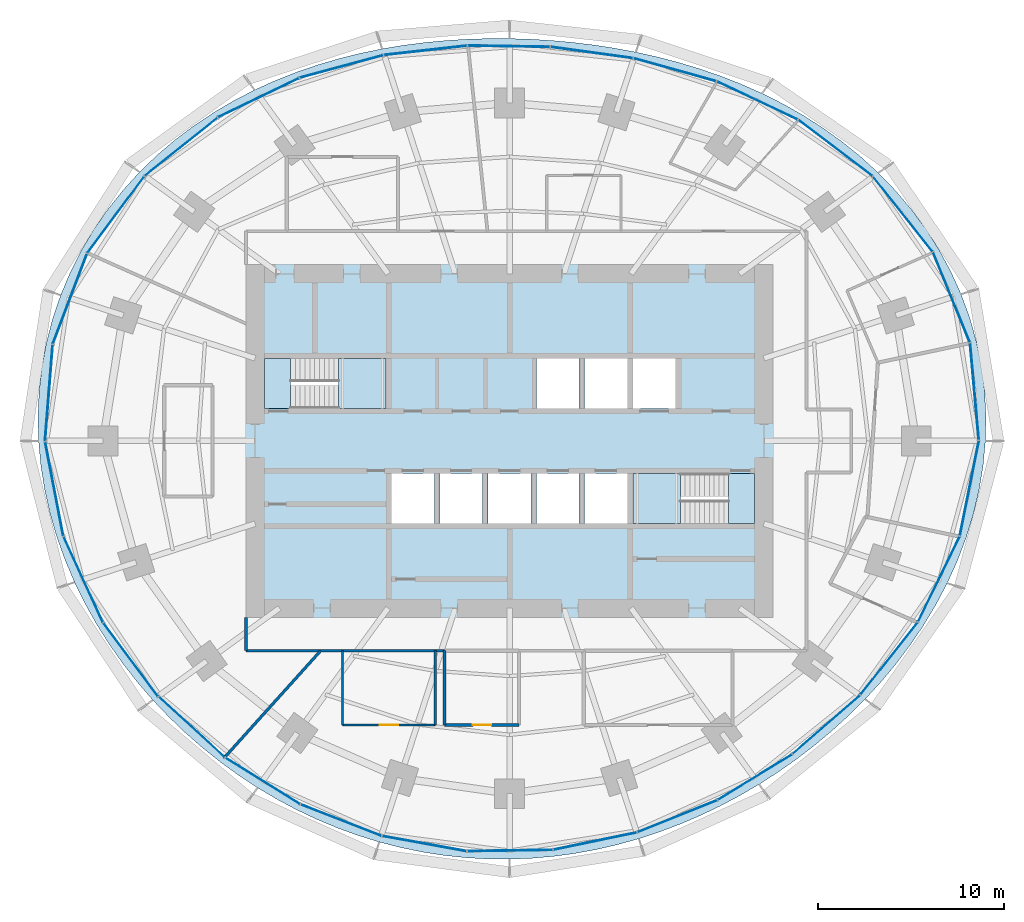
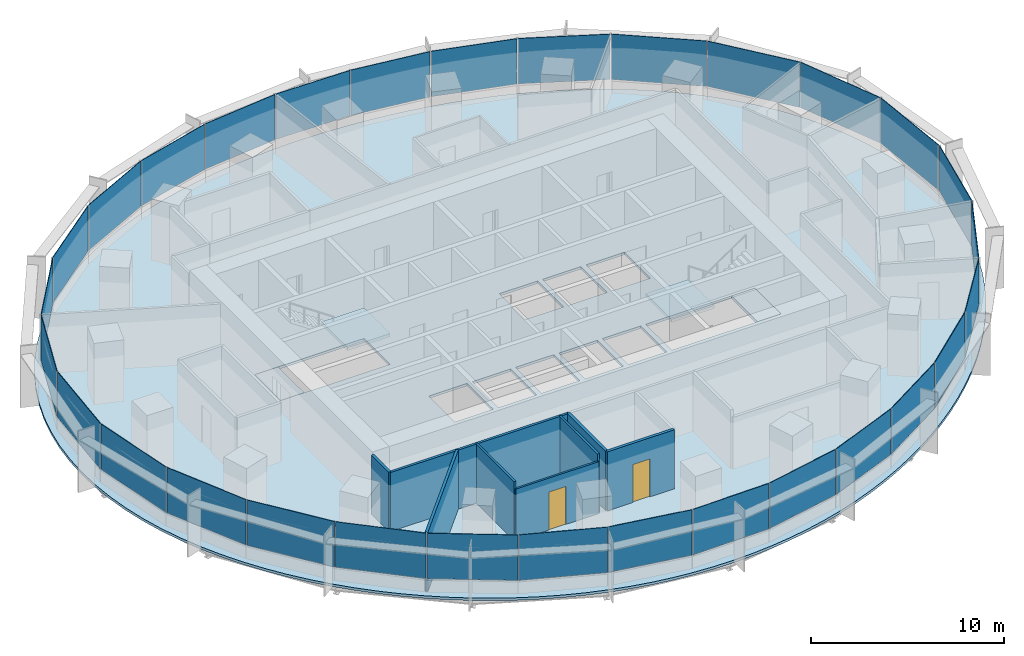
# One storey, part 9 of 14: 30 plates, 8 walls, 5 slabs, 2 doors, 2 openings, 8 elements without a shape of their own.
"""IFC4 building model written with IfcOpenShell, lengths in metres."""

from ifc_helpers import new_model, si_unit, direction, frame, frame_2d, origin, origin_2d, place, context, subcontext, project, spatial, polyline, rectangle, outline, extrude, material, layer, layer_set, type_object, element, fill, aggregate, save


model = new_model("IFC4")

# Units and contexts
model_context = context("Model", 3, precision=1e-05, world=origin(), true_north=direction((0.0, 1.0)))
body_context = subcontext(model_context, "Body", "Model", "MODEL_VIEW")
ifc_project = project(units=[si_unit("LENGTHUNIT", "METRE"), si_unit("AREAUNIT", "SQUARE_METRE"), si_unit("VOLUMEUNIT", "CUBIC_METRE"), si_unit("PLANEANGLEUNIT", "RADIAN"), si_unit("MASSUNIT", "GRAM", prefix="KILO")], contexts=[model_context])

# Site, building, storey
site_placement = place(None, origin())
site = spatial("IfcSite", under=ifc_project, at=site_placement, CompositionType="ELEMENT")
building_placement = place(site_placement, origin())
building = spatial("IfcBuilding", under=site, at=building_placement, Name="Marramba Exchange Tower", CompositionType="ELEMENT")
storey_placement = place(building_placement, frame((0.0, 0.0, 127.5)))
storey = spatial("IfcBuildingStorey", under=building, at=storey_placement, Name="L30", CompositionType="ELEMENT", Elevation=127.5)

# Slab
ifc_material_1 = material(Name="Concrete N40", Category="concrete")
ifc_layer_1 = layer(ifc_material_1, 0.159912109375)
ifc_layer_set_1 = layer_set([ifc_layer_1], Name="Composite floor slab 160")
slab_type_1 = type_object("IfcSlabType", Name="Composite floor slab 160", PredefinedType="FLOOR", material=ifc_layer_set_1)
slab_1_placement = place(storey_placement, frame((0.0, 0.0, -0.159912109375)))
element("IfcSlab", 1, at=slab_1_placement, inside=storey, type_object=slab_type_1, Name="Floor slab L30", PredefinedType="FLOOR", context=body_context, shape_type="SweptSolid", body=[
    extrude(outline(polyline([(25.632080078125, 0.0), (25.66064453125, 1.3447265625), (25.59033203125, 2.689697265625), (25.420166015625, 4.026123046875), (25.15087890625, 5.345947265625), (24.7841796875, 6.640869140625), (24.322998046875, 7.903076171875), (23.771484375, 9.125), (23.135009765625, 10.30029296875), (22.419677734375, 11.42333984375), (21.632080078125, 12.4892578125), (20.779541015625, 13.494384765625), (19.869384765625, 14.43603515625), (18.9091796875, 15.3125), (17.90625, 16.122802734375), (16.86767578125, 16.86767578125), (15.800048828125, 17.5478515625), (14.70947265625, 18.164794921875), (13.6015625, 18.720947265625), (12.48095703125, 19.218994140625), (11.3515625, 19.66162109375), (10.217041015625, 20.05224609375), (9.079833984375, 20.393798828125), (7.94189453125, 20.689453125), (6.804443359375, 20.942138671875), (5.668212890625, 21.154296875), (4.533447265625, 21.328369140625), (3.39990234375, 21.46630859375), (2.26708984375, 21.5693359375), (1.134033203125, 21.63818359375), (0.0, 21.673095703125), (-1.135986328125, 21.673828125), (-2.2744140625, 21.6396484375), (-3.416259765625, 21.5693359375), (-4.5615234375, 21.460693359375), (-5.71044921875, 21.31201171875), (-6.8623046875, 21.1201171875), (-8.01611328125, 20.8828125), (-9.170166015625, 20.5966796875), (-10.322509765625, 20.2587890625), (-11.4697265625, 19.8662109375), (-12.60888671875, 19.415771484375), (-13.7353515625, 18.905029296875), (-14.8447265625, 18.331787109375), (-15.931640625, 17.69384765625), (-16.989990234375, 16.989990234375), (-18.013916015625, 16.2197265625), (-18.996826171875, 15.38330078125), (-19.931884765625, 14.4814453125), (-20.8125, 13.515869140625), (-21.632080078125, 12.4892578125), (-22.384033203125, 11.4052734375), (-23.0625, 10.26806640625), (-23.661865234375, 9.0830078125), (-24.177734375, 7.855712890625), (-24.605712890625, 6.593017578125), (-24.943603515625, 5.302001953125), (-25.18896484375, 3.989501953125), (-25.341064453125, 2.663330078125), (-25.400390625, 1.3310546875), (-25.367919921875, 0.0), (-25.246337890625, -1.322998046875), (-25.038818359375, -2.631591796875), (-24.748779296875, -3.919921875), (-24.381103515625, -5.182373046875), (-23.940185546875, -6.414794921875), (-23.431396484375, -7.61328125), (-22.859130859375, -8.77490234375), (-22.22900390625, -9.89697265625), (-21.545166015625, -10.977783203125), (-20.81201171875, -12.015869140625), (-20.033935546875, -13.010009765625), (-19.2138671875, -13.959716796875), (-18.35546875, -14.86376953125), (-17.461181640625, -15.72216796875), (-16.53369140625, -16.53369140625), (-15.5751953125, -17.298095703125), (-14.587646484375, -18.014404296875), (-13.5732421875, -18.681884765625), (-12.533203125, -19.299560546875), (-11.4697265625, -19.8662109375), (-10.384765625, -20.381103515625), (-9.27978515625, -20.8427734375), (-8.157470703125, -21.250732421875), (-7.019287109375, -21.603271484375), (-5.8681640625, -21.900146484375), (-4.7060546875, -22.14013671875), (-3.53564453125, -22.322998046875), (-2.359375, -22.448486328125), (-1.179931640625, -22.516357421875), (0.0, -22.52685546875), (1.17822265625, -22.480712890625), (2.35205078125, -22.3779296875), (3.519287109375, -22.22021484375), (4.677978515625, -22.0078125), (5.825927734375, -21.742431640625), (6.96142578125, -21.425048828125), (8.0830078125, -21.05712890625), (9.189453125, -20.639892578125), (10.279296875, -20.17431640625), (11.3515625, -19.66162109375), (12.4052734375, -19.1025390625), (13.439453125, -18.497802734375), (14.45263671875, -17.847412109375), (15.44384765625, -17.152099609375), (16.411376953125, -16.411376953125), (17.353515625, -15.625244140625), (18.267822265625, -14.79296875), (19.1513671875, -13.914306640625), (20.000732421875, -12.98876953125), (20.81201171875, -12.015869140625), (21.580810546875, -10.995849609375), (22.301513671875, -9.92919921875), (22.96875, -8.81689453125), (23.57666015625, -7.660400390625), (24.11865234375, -6.462646484375), (24.588623046875, -5.2265625), (24.980224609375, -3.95654296875), (25.2880859375, -2.657958984375), (25.5068359375, -1.336669921875), (25.632080078125, 0.0)]), holes=[polyline([(1.449951171875, 1.75), (3.75, 1.75), (3.75, 4.449951171875), (1.449951171875, 4.449951171875), (1.449951171875, 1.75)]), polyline([(4.050048828125, 1.75), (6.35009765625, 1.75), (6.35009765625, 4.449951171875), (4.050048828125, 4.449951171875), (4.050048828125, 1.75)]), polyline([(-6.35009765625, -4.449951171875), (-4.050048828125, -4.449951171875), (-4.050048828125, -1.75), (-6.35009765625, -1.75), (-6.35009765625, -4.449951171875)]), polyline([(-3.75, -4.449951171875), (-1.449951171875, -4.449951171875), (-1.449951171875, -1.75), (-3.75, -1.75), (-3.75, -4.449951171875)]), polyline([(-1.14990234375, -4.449951171875), (1.14990234375, -4.449951171875), (1.14990234375, -1.75), (-1.14990234375, -1.75), (-1.14990234375, -4.449951171875)]), polyline([(1.449951171875, -4.449951171875), (3.75, -4.449951171875), (3.75, -1.75), (1.449951171875, -1.75), (1.449951171875, -4.449951171875)]), polyline([(4.050048828125, -4.449951171875), (6.35009765625, -4.449951171875), (6.35009765625, -1.75), (4.050048828125, -1.75), (4.050048828125, -4.449951171875)]), polyline([(6.64990234375, 1.75), (8.949951171875, 1.75), (8.949951171875, 4.449951171875), (6.64990234375, 4.449951171875), (6.64990234375, 1.75)]), polyline([(-13.199951171875, 1.75), (-6.64990234375, 1.75), (-6.64990234375, 4.449951171875), (-13.199951171875, 4.449951171875), (-13.199951171875, 1.75)]), polyline([(6.64990234375, -4.449951171875), (13.199951171875, -4.449951171875), (13.199951171875, -1.75), (6.64990234375, -1.75), (6.64990234375, -4.449951171875)])]), origin(), (0.0, 0.0, 1.0), 0.159912109375),
])

# Curtain wall, plates
ifc_material_2 = material(Name="Aluminium framing, bronze anodised", Category="aluminium")
curtain_wall_type = type_object("IfcCurtainWallType", Name="Office ribbon curtain wall", PredefinedType="USERDEFINED", material=ifc_material_2)
curtain_wall_1_placement = place(storey_placement, origin())
curtain_wall_1 = element("IfcCurtainWall", 2, at=curtain_wall_1_placement, inside=storey, type_object=curtain_wall_type, Name="Curtain wall CW4 L30 F01-F05", ObjectType="RIBBON CURTAIN WALL", PredefinedType="USERDEFINED")
ifc_material_3 = material(Name="Laminated double glazed unit 10.76 + 16 + 10.76, bronze tinted", Category="glass")
ifc_layer_2 = layer(ifc_material_3, 0.03759765625)
ifc_layer_set_2 = layer_set([ifc_layer_2], Name="Office ribbon curtain wall panel")
plate_type = type_object("IfcPlateType", Name="Office ribbon curtain wall panel", PredefinedType="CURTAIN_PANEL", material=ifc_layer_set_2)
plate_1_placement = place(storey_placement, frame((25.042724609375, 2.66650390625, 0.860107421875), z_axis=(0.0, 0.0, 1.0), x_axis=(-0.089412887889, 0.995994646311, 0.0)))
plate_1 = element("IfcPlate", 3, at=plate_1_placement, type_object=plate_type, Name="CW4 vision panel", PredefinedType="CURTAIN_PANEL", context=body_context, shape_type="SweptSolid", body=[
    extrude(rectangle(XDim=5.234375, YDim=0.03759765625, at=origin_2d()), origin(), (0.0, 0.0, 1.0), 2.8798828125),
])
plate_2_placement = place(storey_placement, frame((23.800537109375, 7.743408203125, 0.860107421875), z_axis=(0.0, 0.0, 1.0), x_axis=(-0.377821183171, 0.925878584668, 0.0)))
plate_2 = element("IfcPlate", 4, at=plate_2_placement, type_object=plate_type, Name="CW4 vision panel", PredefinedType="CURTAIN_PANEL", context=body_context, shape_type="SweptSolid", body=[
    extrude(rectangle(XDim=5.2158203125, YDim=0.03759765625, at=origin_2d()), origin(), (0.0, 0.0, 1.0), 2.8798828125),
])
plate_3_placement = place(storey_placement, frame((21.18212890625, 12.217529296875, 0.860107421875), z_axis=(0.0, 0.0, 1.0), x_axis=(-0.621312004611, 0.783563266703, 0.0)))
plate_3 = element("IfcPlate", 5, at=plate_3_placement, type_object=plate_type, Name="CW4 vision panel", PredefinedType="CURTAIN_PANEL", context=body_context, shape_type="SweptSolid", body=[
    extrude(rectangle(XDim=5.136962890625, YDim=0.03759765625, at=origin_2d()), origin(), (0.0, 0.0, 1.0), 2.8798828125),
])
plate_4_placement = place(storey_placement, frame((17.55224609375, 15.777099609375, 0.860107421875), z_axis=(0.0, 0.0, 1.0), x_axis=(-0.795971748366, 0.60533377223, 0.0)))
plate_4 = element("IfcPlate", 6, at=plate_4_placement, type_object=plate_type, Name="CW4 vision panel", PredefinedType="CURTAIN_PANEL", context=body_context, shape_type="SweptSolid", body=[
    extrude(rectangle(XDim=4.990966796875, YDim=0.03759765625, at=origin_2d()), origin(), (0.0, 0.0, 1.0), 2.8798828125),
])
plate_5_placement = place(storey_placement, frame((13.34423828125, 18.3359375, 0.860107421875), z_axis=(0.0, 0.0, 1.0), x_axis=(-0.904403137485, 0.426678995157, 0.0)))
plate_5 = element("IfcPlate", 7, at=plate_5_placement, type_object=plate_type, Name="CW4 vision panel", PredefinedType="CURTAIN_PANEL", context=body_context, shape_type="SweptSolid", body=[
    extrude(rectangle(XDim=4.793212890625, YDim=0.03759765625, at=origin_2d()), origin(), (0.0, 0.0, 1.0), 2.8798828125),
])
aggregate(curtain_wall_1, [plate_1, plate_2, plate_3, plate_4, plate_5])

curtain_wall_2_placement = place(storey_placement, origin())
curtain_wall_2 = element("IfcCurtainWall", 8, at=curtain_wall_2_placement, inside=storey, type_object=curtain_wall_type, Name="Curtain wall CW4 L30 F06-F10", ObjectType="RIBBON CURTAIN WALL", PredefinedType="USERDEFINED")
plate_6_placement = place(storey_placement, frame((8.907470703125, 19.991943359375, 0.860107421875), z_axis=(0.0, 0.0, 1.0), x_axis=(-0.963177845956, 0.268865090816, 0.0)))
plate_6 = element("IfcPlate", 9, at=plate_6_placement, type_object=plate_type, Name="CW4 vision panel", PredefinedType="CURTAIN_PANEL", context=body_context, shape_type="SweptSolid", body=[
    extrude(rectangle(XDim=4.591552734375, YDim=0.03759765625, at=origin_2d()), origin(), (0.0, 0.0, 1.0), 2.8798828125),
])
plate_7_placement = place(storey_placement, frame((4.43359375, 20.919189453125, 0.860107421875), z_axis=(0.0, 0.0, 1.0), x_axis=(-0.990738212841, 0.135785837319, 0.0)))
plate_7 = element("IfcPlate", 10, at=plate_7_placement, type_object=plate_type, Name="CW4 vision panel", PredefinedType="CURTAIN_PANEL", context=body_context, shape_type="SweptSolid", body=[
    extrude(rectangle(XDim=4.447509765625, YDim=0.03759765625, at=origin_2d()), origin(), (0.0, 0.0, 1.0), 2.8798828125),
])
plate_8_placement = place(storey_placement, frame((-0.03369140625, 21.2568359375, 0.860107421875), z_axis=(0.0, 0.0, 1.0), x_axis=(-0.999875869968, 0.01575578169, 0.0)))
plate_8 = element("IfcPlate", 11, at=plate_8_placement, type_object=plate_type, Name="CW4 vision panel", PredefinedType="CURTAIN_PANEL", context=body_context, shape_type="SweptSolid", body=[
    extrude(rectangle(XDim=4.408935546875, YDim=0.03759765625, at=origin_2d()), origin(), (0.0, 0.0, 1.0), 2.8798828125),
])
plate_9_placement = place(storey_placement, frame((-4.52587890625, 21.0361328125, 0.860107421875), z_axis=(0.0, 0.0, 1.0), x_axis=(-0.993823395532, -0.110973233233, 0.0)))
plate_9 = element("IfcPlate", 12, at=plate_9_placement, type_object=plate_type, Name="CW4 vision panel", PredefinedType="CURTAIN_PANEL", context=body_context, shape_type="SweptSolid", body=[
    extrude(rectangle(XDim=4.484375, YDim=0.03759765625, at=origin_2d()), origin(), (0.0, 0.0, 1.0), 2.8798828125),
])
plate_10_placement = place(storey_placement, frame((-9.053466796875, 20.16748046875, 0.860107421875), z_axis=(0.0, 0.0, 1.0), x_axis=(-0.965522047176, -0.260321294588, 0.0)))
plate_10 = element("IfcPlate", 13, at=plate_10_placement, type_object=plate_type, Name="CW4 vision panel", PredefinedType="CURTAIN_PANEL", context=body_context, shape_type="SweptSolid", body=[
    extrude(rectangle(XDim=4.642578125, YDim=0.03759765625, at=origin_2d()), origin(), (0.0, 0.0, 1.0), 2.8798828125),
])
aggregate(curtain_wall_2, [plate_6, plate_7, plate_8, plate_9, plate_10])

curtain_wall_3_placement = place(storey_placement, origin())
curtain_wall_3 = element("IfcCurtainWall", 14, at=curtain_wall_3_placement, inside=storey, type_object=curtain_wall_type, Name="Curtain wall CW4 L30 F11-F15", ObjectType="RIBBON CURTAIN WALL", PredefinedType="USERDEFINED")
plate_11_placement = place(storey_placement, frame((-13.52294921875, 18.4853515625, 0.860107421875), z_axis=(0.0, 0.0, 1.0), x_axis=(-0.900223739881, -0.435427626771, 0.0)))
plate_11 = element("IfcPlate", 15, at=plate_11_placement, type_object=plate_type, Name="CW4 vision panel", PredefinedType="CURTAIN_PANEL", context=body_context, shape_type="SweptSolid", body=[
    extrude(rectangle(XDim=4.83056640625, YDim=0.03759765625, at=origin_2d()), origin(), (0.0, 0.0, 1.0), 2.8798828125),
])
plate_12_placement = place(storey_placement, frame((-17.696533203125, 15.8359375, 0.860107421875), z_axis=(0.0, 0.0, 1.0), x_axis=(-0.78117833008, -0.624307950145, 0.0)))
plate_12 = element("IfcPlate", 16, at=plate_12_placement, type_object=plate_type, Name="CW4 vision panel", PredefinedType="CURTAIN_PANEL", context=body_context, shape_type="SweptSolid", body=[
    extrude(rectangle(XDim=4.998291015625, YDim=0.03759765625, at=origin_2d()), origin(), (0.0, 0.0, 1.0), 2.8798828125),
])
plate_13_placement = place(storey_placement, frame((-21.213623046875, 12.1767578125, 0.860107421875), z_axis=(0.0, 0.0, 1.0), x_axis=(-0.597703997504, -0.80171686484, 0.0)))
plate_13 = element("IfcPlate", 17, at=plate_13_placement, type_object=plate_type, Name="CW4 vision panel", PredefinedType="CURTAIN_PANEL", context=body_context, shape_type="SweptSolid", body=[
    extrude(rectangle(XDim=5.116455078125, YDim=0.03759765625, at=origin_2d()), origin(), (0.0, 0.0, 1.0), 2.8798828125),
])
plate_14_placement = place(storey_placement, frame((-23.6826171875, 7.6494140625, 0.860107421875), z_axis=(0.0, 0.0, 1.0), x_axis=(-0.354844468484, -0.934925346317, 0.0)))
plate_14 = element("IfcPlate", 18, at=plate_14_placement, type_object=plate_type, Name="CW4 vision panel", PredefinedType="CURTAIN_PANEL", context=body_context, shape_type="SweptSolid", body=[
    extrude(rectangle(XDim=5.177490234375, YDim=0.03759765625, at=origin_2d()), origin(), (0.0, 0.0, 1.0), 2.8798828125),
])
plate_15_placement = place(storey_placement, frame((-24.81201171875, 2.584716796875, 0.860107421875), z_axis=(0.0, 0.0, 1.0), x_axis=(-0.079459696383, -0.996838079455, 0.0)))
plate_15 = element("IfcPlate", 19, at=plate_15_placement, type_object=plate_type, Name="CW4 vision panel", PredefinedType="CURTAIN_PANEL", context=body_context, shape_type="SweptSolid", body=[
    extrude(rectangle(XDim=5.185791015625, YDim=0.03759765625, at=origin_2d()), origin(), (0.0, 0.0, 1.0), 2.8798828125),
])
aggregate(curtain_wall_3, [plate_11, plate_12, plate_13, plate_14, plate_15])

curtain_wall_4_placement = place(storey_placement, origin())
curtain_wall_4 = element("IfcCurtainWall", 20, at=curtain_wall_4_placement, inside=storey, type_object=curtain_wall_type, Name="Curtain wall CW4 L30 F16-F20", ObjectType="RIBBON CURTAIN WALL", PredefinedType="USERDEFINED")
plate_16_placement = place(storey_placement, frame((-24.522705078125, -2.584228515625, 0.860107421875), z_axis=(0.0, 0.0, 1.0), x_axis=(0.18822721487, -0.982125509078, 0.0)))
plate_16 = element("IfcPlate", 21, at=plate_16_placement, type_object=plate_type, Name="CW4 vision panel", PredefinedType="CURTAIN_PANEL", context=body_context, shape_type="SweptSolid", body=[
    extrude(rectangle(XDim=5.142578125, YDim=0.03759765625, at=origin_2d()), origin(), (0.0, 0.0, 1.0), 2.8798828125),
])
plate_17_placement = place(storey_placement, frame((-22.96142578125, -7.45947265625, 0.860107421875), z_axis=(0.0, 0.0, 1.0), x_axis=(0.416737848929, -0.909026713177, 0.0)))
plate_17 = element("IfcPlate", 22, at=plate_17_placement, type_object=plate_type, Name="CW4 vision panel", PredefinedType="CURTAIN_PANEL", context=body_context, shape_type="SweptSolid", body=[
    extrude(rectangle(XDim=5.0498046875, YDim=0.03759765625, at=origin_2d()), origin(), (0.0, 0.0, 1.0), 2.8798828125),
])
plate_18_placement = place(storey_placement, frame((-20.402099609375, -11.7783203125, 0.860107421875), z_axis=(0.0, 0.0, 1.0), x_axis=(0.597304697033, -0.802014400683, 0.0)))
plate_18 = element("IfcPlate", 23, at=plate_18_placement, type_object=plate_type, Name="CW4 vision panel", PredefinedType="CURTAIN_PANEL", context=body_context, shape_type="SweptSolid", body=[
    extrude(rectangle(XDim=4.926513671875, YDim=0.03759765625, at=origin_2d()), origin(), (0.0, 0.0, 1.0), 2.8798828125),
])
plate_19_placement = place(storey_placement, frame((-17.11376953125, -15.416259765625, 0.860107421875), z_axis=(0.0, 0.0, 1.0), x_axis=(0.737821886077, -0.674995455115, 0.0)))
plate_19 = element("IfcPlate", 24, at=plate_19_placement, type_object=plate_type, Name="CW4 vision panel", PredefinedType="CURTAIN_PANEL", context=body_context, shape_type="SweptSolid", body=[
    extrude(rectangle(XDim=4.80517578125, YDim=0.03759765625, at=origin_2d()), origin(), (0.0, 0.0, 1.0), 2.8798828125),
])
plate_20_placement = place(storey_placement, frame((-13.29248046875, -18.31640625, 0.860107421875), z_axis=(0.0, 0.0, 1.0), x_axis=(0.84835459748, -0.52942844364, 0.0)))
plate_20 = element("IfcPlate", 25, at=plate_20_placement, type_object=plate_type, Name="CW4 vision panel", PredefinedType="CURTAIN_PANEL", context=body_context, shape_type="SweptSolid", body=[
    extrude(rectangle(XDim=4.70947265625, YDim=0.03759765625, at=origin_2d()), origin(), (0.0, 0.0, 1.0), 2.8798828125),
])
aggregate(curtain_wall_4, [plate_16, plate_17, plate_18, plate_19, plate_20])

curtain_wall_5_placement = place(storey_placement, origin())
curtain_wall_5 = element("IfcCurtainWall", 26, at=curtain_wall_5_placement, inside=storey, type_object=curtain_wall_type, Name="Curtain wall CW4 L30 F21-F25", ObjectType="RIBBON CURTAIN WALL", PredefinedType="USERDEFINED")
plate_21_placement = place(storey_placement, frame((-9.074951171875, -20.427734375, 0.860107421875), z_axis=(0.0, 0.0, 1.0), x_axis=(0.931818390344, -0.36292490603, 0.0)))
plate_21 = element("IfcPlate", 27, at=plate_21_placement, type_object=plate_type, Name="CW4 vision panel", PredefinedType="CURTAIN_PANEL", context=body_context, shape_type="SweptSolid", body=[
    extrude(rectangle(XDim=4.644287109375, YDim=0.03759765625, at=origin_2d()), origin(), (0.0, 0.0, 1.0), 2.8798828125),
])
plate_22_placement = place(storey_placement, frame((-4.58740234375, -21.690673828125, 0.860107421875), z_axis=(0.0, 0.0, 1.0), x_axis=(0.984031865834, -0.177992379115, 0.0)))
plate_22 = element("IfcPlate", 28, at=plate_22_placement, type_object=plate_type, Name="CW4 vision panel", PredefinedType="CURTAIN_PANEL", context=body_context, shape_type="SweptSolid", body=[
    extrude(rectangle(XDim=4.602783203125, YDim=0.03759765625, at=origin_2d()), origin(), (0.0, 0.0, 1.0), 2.8798828125),
])
plate_23_placement = place(storey_placement, frame((0.0263671875, -22.064697265625, 0.860107421875), z_axis=(0.0, 0.0, 1.0), x_axis=(0.999884797709, 0.015178646521, 0.0)))
plate_23 = element("IfcPlate", 29, at=plate_23_placement, type_object=plate_type, Name="CW4 vision panel", PredefinedType="CURTAIN_PANEL", context=body_context, shape_type="SweptSolid", body=[
    extrude(rectangle(XDim=4.578857421875, YDim=0.03759765625, at=origin_2d()), origin(), (0.0, 0.0, 1.0), 2.8798828125),
])
plate_24_placement = place(storey_placement, frame((4.61376953125, -21.554931640625, 0.860107421875), z_axis=(0.0, 0.0, 1.0), x_axis=(0.979310199794, 0.202364850159, 0.0)))
plate_24 = element("IfcPlate", 30, at=plate_24_placement, type_object=plate_type, Name="CW4 vision panel", PredefinedType="CURTAIN_PANEL", context=body_context, shape_type="SweptSolid", body=[
    extrude(rectangle(XDim=4.57373046875, YDim=0.03759765625, at=origin_2d()), origin(), (0.0, 0.0, 1.0), 2.8798828125),
])
plate_25_placement = place(storey_placement, frame((9.042724609375, -20.214111328125, 0.860107421875), z_axis=(0.0, 0.0, 1.0), x_axis=(0.928148916059, 0.372209067082, 0.0)))
plate_25 = element("IfcPlate", 31, at=plate_25_placement, type_object=plate_type, Name="CW4 vision panel", PredefinedType="CURTAIN_PANEL", context=body_context, shape_type="SweptSolid", body=[
    extrude(rectangle(XDim=4.59814453125, YDim=0.03759765625, at=origin_2d()), origin(), (0.0, 0.0, 1.0), 2.8798828125),
])
aggregate(curtain_wall_5, [plate_21, plate_22, plate_23, plate_24, plate_25])

curtain_wall_6_placement = place(storey_placement, origin())
curtain_wall_6 = element("IfcCurtainWall", 32, at=curtain_wall_6_placement, inside=storey, type_object=curtain_wall_type, Name="Curtain wall CW4 L30 F26-F30", ObjectType="RIBBON CURTAIN WALL", PredefinedType="USERDEFINED")
plate_26_placement = place(storey_placement, frame((13.21875, -18.109619140625, 0.860107421875), z_axis=(0.0, 0.0, 1.0), x_axis=(0.853109114492, 0.521732535664, 0.0)))
plate_26 = element("IfcPlate", 33, at=plate_26_placement, type_object=plate_type, Name="CW4 vision panel", PredefinedType="CURTAIN_PANEL", context=body_context, shape_type="SweptSolid", body=[
    extrude(rectangle(XDim=4.66748046875, YDim=0.03759765625, at=origin_2d()), origin(), (0.0, 0.0, 1.0), 2.8798828125),
])
plate_27_placement = place(storey_placement, frame((17.0615234375, -15.280517578125, 0.860107421875), z_axis=(0.0, 0.0, 1.0), x_axis=(0.754385506384, 0.656431647438, 0.0)))
plate_27 = element("IfcPlate", 34, at=plate_27_placement, type_object=plate_type, Name="CW4 vision panel", PredefinedType="CURTAIN_PANEL", context=body_context, shape_type="SweptSolid", body=[
    extrude(rectangle(XDim=4.789794921875, YDim=0.03759765625, at=origin_2d()), origin(), (0.0, 0.0, 1.0), 2.8798828125),
])
plate_28_placement = place(storey_placement, frame((20.443603515625, -11.724365234375, 0.860107421875), z_axis=(0.0, 0.0, 1.0), x_axis=(0.621807472329, 0.783170139469, 0.0)))
plate_28 = element("IfcPlate", 35, at=plate_28_placement, type_object=plate_type, Name="CW4 vision panel", PredefinedType="CURTAIN_PANEL", context=body_context, shape_type="SweptSolid", body=[
    extrude(rectangle(XDim=4.947265625, YDim=0.03759765625, at=origin_2d()), origin(), (0.0, 0.0, 1.0), 2.8798828125),
])
plate_29_placement = place(storey_placement, frame((23.127197265625, -7.443359375, 0.860107421875), z_axis=(0.0, 0.0, 1.0), x_axis=(0.439086342308, 0.89844486976, 0.0)))
plate_29 = element("IfcPlate", 36, at=plate_29_placement, type_object=plate_type, Name="CW4 vision panel", PredefinedType="CURTAIN_PANEL", context=body_context, shape_type="SweptSolid", body=[
    extrude(rectangle(XDim=5.096923828125, YDim=0.03759765625, at=origin_2d()), origin(), (0.0, 0.0, 1.0), 2.8798828125),
])
plate_30_placement = place(storey_placement, frame((24.77001953125, -2.54736328125, 0.860107421875), z_axis=(0.0, 0.0, 1.0), x_axis=(0.197048511267, 0.980393739376, 0.0)))
plate_30 = element("IfcPlate", 37, at=plate_30_placement, type_object=plate_type, Name="CW4 vision panel", PredefinedType="CURTAIN_PANEL", context=body_context, shape_type="SweptSolid", body=[
    extrude(rectangle(XDim=5.19677734375, YDim=0.03759765625, at=origin_2d()), origin(), (0.0, 0.0, 1.0), 2.8798828125),
])
aggregate(curtain_wall_6, [plate_26, plate_27, plate_28, plate_29, plate_30])

# Stair, slabs
ifc_material_4 = material(Name="Concrete N40 (40 MPa)", Category="concrete")
stair_type_1 = type_object("IfcStairType", Name="Exit stair ST1 3900 x 1250", PredefinedType="HALF_TURN_STAIR", material=ifc_material_4)
stair_1_placement = place(storey_placement, origin())
stair_1 = element("IfcStair", 38, at=stair_1_placement, inside=storey, type_object=stair_type_1, Name="Exit stair ST1 L30", PredefinedType="HALF_TURN_STAIR")
ifc_layer_3 = layer(ifc_material_4, 0.199951171875)
ifc_layer_set_3 = layer_set([ifc_layer_3], Name="Stair landing 200")
slab_type_2 = type_object("IfcSlabType", Name="Stair landing 200", PredefinedType="LANDING", material=ifc_layer_set_3)
slab_2_placement = place(storey_placement, frame((0.0, 0.0, -0.199951171875)))
slab_2 = element("IfcSlab", 39, at=slab_2_placement, type_object=slab_type_2, Name="ST1 landing 1", PredefinedType="LANDING", context=body_context, shape_type="SweptSolid", body=[
    extrude(outline(polyline([(-13.199951171875, 1.75), (-11.800048828125, 1.75), (-11.800048828125, 4.449951171875), (-13.199951171875, 4.449951171875), (-13.199951171875, 1.75)])), origin(), (0.0, 0.0, 1.0), 0.199951171875),
])
slab_3_placement = place(storey_placement, frame((0.0, 0.0, 1.75)))
slab_3 = element("IfcSlab", 40, at=slab_3_placement, type_object=slab_type_2, Name="ST1 landing 2", PredefinedType="LANDING", context=body_context, shape_type="SweptSolid", body=[
    extrude(outline(polyline([(-9.199951171875, 1.75), (-6.64990234375, 1.75), (-6.64990234375, 4.449951171875), (-9.199951171875, 4.449951171875), (-9.199951171875, 1.75)])), origin(), (0.0, 0.0, 1.0), 0.199951171875),
])
aggregate(stair_1, [slab_2, slab_3])

stair_type_2 = type_object("IfcStairType", Name="Exit stair ST2 3900 x 1250", PredefinedType="HALF_TURN_STAIR", material=ifc_material_4)
stair_2_placement = place(storey_placement, origin())
stair_2 = element("IfcStair", 41, at=stair_2_placement, inside=storey, type_object=stair_type_2, Name="Exit stair ST2 L30", PredefinedType="HALF_TURN_STAIR")
slab_4_placement = place(storey_placement, frame((0.0, 0.0, -0.199951171875)))
slab_4 = element("IfcSlab", 42, at=slab_4_placement, type_object=slab_type_2, Name="ST2 landing 1", PredefinedType="LANDING", context=body_context, shape_type="SweptSolid", body=[
    extrude(outline(polyline([(11.800048828125, -4.449951171875), (13.199951171875, -4.449951171875), (13.199951171875, -1.75), (11.800048828125, -1.75), (11.800048828125, -4.449951171875)])), origin(), (0.0, 0.0, 1.0), 0.199951171875),
])
slab_5_placement = place(storey_placement, frame((0.0, 0.0, 1.75)))
slab_5 = element("IfcSlab", 43, at=slab_5_placement, type_object=slab_type_2, Name="ST2 landing 2", PredefinedType="LANDING", context=body_context, shape_type="SweptSolid", body=[
    extrude(outline(polyline([(6.64990234375, -4.449951171875), (9.199951171875, -4.449951171875), (9.199951171875, -1.75), (6.64990234375, -1.75), (6.64990234375, -4.449951171875)])), origin(), (0.0, 0.0, 1.0), 0.199951171875),
])
aggregate(stair_2, [slab_4, slab_5])

# Wall
ifc_material_5 = material(Name="Plasterboard on staggered double steel studs, acoustic insulation", Category="steel")
ifc_layer_4 = layer(ifc_material_5, 0.169921875)
ifc_layer_set_4 = layer_set([ifc_layer_4], Name="Acoustic partition 170")
wall_type_1 = type_object("IfcWallType", Name="Acoustic partition 170", PredefinedType="PARTITIONING", material=ifc_layer_set_4)
wall_1_placement = place(storey_placement, frame((-3.5, -11.300048828125, 0.0), z_axis=(0.0, 0.0, 1.0), x_axis=(0.0, -1.0, 0.0)))
element("IfcWall", 44, at=wall_1_placement, inside=storey, type_object=wall_type_1, Name="Acoustic partition L30 08", PredefinedType="PARTITIONING", context=body_context, shape_type="SweptSolid", body=[
    extrude(rectangle(XDim=4.0, YDim=0.169921875, at=frame_2d((2.0, 0.0))), origin(), (0.0, 0.0, 1.0), 3.739990234375),
])

# Wall, opening, door
wall_2_placement = place(storey_placement, frame((-3.5, -15.300048828125, 0.0), z_axis=(0.0, 0.0, 1.0), x_axis=(1.0, 0.0, 0.0)))
wall_2 = element("IfcWall", 45, at=wall_2_placement, inside=storey, type_object=wall_type_1, Name="Acoustic partition L30 10", PredefinedType="PARTITIONING", context=body_context, shape_type="SweptSolid", body=[
    extrude(rectangle(XDim=4.0, YDim=0.169921875, at=frame_2d((2.0, 0.0))), origin(), (0.0, 0.0, 1.0), 3.739990234375),
])
opening_1_placement = place(wall_2_placement, frame((1.52587890625, 0.0, 0.0)))
opening_1 = element("IfcOpeningElement", 46, at=opening_1_placement, cuts=wall_2, Name="Opening D9", PredefinedType="OPENING", context=body_context, shape_type="SweptSolid", body=[
    extrude(rectangle(XDim=1.0, YDim=2.39990234375, at=frame_2d((0.5, 1.199951171875))), frame((0.0, 0.094970703125, 0.0), z_axis=(0.0, -1.0, 0.0), x_axis=(1.0, 0.0, 0.0)), (0.0, 0.0, 1.0), 0.18994140625),
])
ifc_material_6 = material(Name="Timber door", Category="wood")
door_type = type_object("IfcDoorType", Name="Room door 1000x2400", OperationType="SINGLE_SWING_LEFT", PredefinedType="DOOR", material=ifc_material_6)
door_1_placement = place(opening_1_placement, origin())
door_1 = element("IfcDoor", 47, at=door_1_placement, inside=storey, type_object=door_type, Name="D9 Quiet Room 1 L30", OperationType="SINGLE_SWING_RIGHT", OverallHeight=2.39990234375, OverallWidth=1.0, PredefinedType="DOOR", context=body_context, shape_type="SweptSolid", body=[
    extrude(rectangle(XDim=1.0, YDim=2.39990234375, at=frame_2d((0.5, 1.199951171875))), frame((0.0, 0.02490234375, 0.0), z_axis=(0.0, -1.0, 0.0), x_axis=(1.0, 0.0, 0.0)), (0.0, 0.0, 1.0), 0.050048828125),
])
fill(opening_1, door_1)

# Wall
ifc_material_7 = material(Name="Plasterboard on steel studs", Category="steel")
ifc_layer_5 = layer(ifc_material_7, 0.1201171875)
ifc_layer_set_5 = layer_set([ifc_layer_5], Name="Partition 120")
wall_type_2 = type_object("IfcWallType", Name="Partition 120", PredefinedType="PARTITIONING", material=ifc_layer_set_5)
wall_3_placement = place(storey_placement, frame((-9.0, -11.300048828125, 0.0), z_axis=(0.0, 0.0, 1.0), x_axis=(0.0, -1.0, 0.0)))
element("IfcWall", 48, at=wall_3_placement, inside=storey, type_object=wall_type_2, Name="Partition L30 05", PredefinedType="PARTITIONING", context=body_context, shape_type="SweptSolid", body=[
    extrude(rectangle(XDim=4.0, YDim=0.1201171875, at=frame_2d((2.0, 0.0))), origin(), (0.0, 0.0, 1.0), 3.739990234375),
])

# Wall, opening, door
wall_4_placement = place(storey_placement, frame((-9.0, -15.300048828125, 0.0), z_axis=(0.0, 0.0, 1.0), x_axis=(1.0, 0.0, 0.0)))
wall_4 = element("IfcWall", 49, at=wall_4_placement, inside=storey, type_object=wall_type_2, Name="Partition L30 06", PredefinedType="PARTITIONING", context=body_context, shape_type="SweptSolid", body=[
    extrude(rectangle(XDim=5.0, YDim=0.1201171875, at=frame_2d((2.5, 0.0))), origin(), (0.0, 0.0, 1.0), 3.285888671875),
])
opening_2_placement = place(wall_4_placement, frame((2.0, 0.0, 0.0)))
opening_2 = element("IfcOpeningElement", 50, at=opening_2_placement, cuts=wall_4, Name="Opening D9", PredefinedType="OPENING", context=body_context, shape_type="SweptSolid", body=[
    extrude(rectangle(XDim=1.0, YDim=2.39990234375, at=frame_2d((0.5, 1.199951171875))), frame((0.0, 0.070068359375, 0.0), z_axis=(0.0, -1.0, 0.0), x_axis=(1.0, 0.0, 0.0)), (0.0, 0.0, 1.0), 0.14013671875),
])
door_2_placement = place(opening_2_placement, origin())
door_2 = element("IfcDoor", 51, at=door_2_placement, inside=storey, type_object=door_type, Name="D9 Pantry L30", OperationType="SINGLE_SWING_RIGHT", OverallHeight=2.39990234375, OverallWidth=1.0, PredefinedType="DOOR", context=body_context, shape_type="SweptSolid", body=[
    extrude(rectangle(XDim=1.0, YDim=2.39990234375, at=frame_2d((0.5, 1.199951171875))), frame((0.0, 0.02490234375, 0.0), z_axis=(0.0, -1.0, 0.0), x_axis=(1.0, 0.0, 0.0)), (0.0, 0.0, 1.0), 0.050048828125),
])
fill(opening_2, door_2)

# Walls
wall_5_placement = place(storey_placement, frame((-4.0, -15.300048828125, 0.0), z_axis=(0.0, 0.0, 1.0), x_axis=(0.0, 1.0, 0.0)))
element("IfcWall", 52, at=wall_5_placement, inside=storey, type_object=wall_type_2, Name="Partition L30 07", PredefinedType="PARTITIONING", context=body_context, shape_type="SweptSolid", body=[
    extrude(rectangle(XDim=4.0, YDim=0.1201171875, at=frame_2d((2.0, 0.0))), origin(), (0.0, 0.0, 1.0), 3.739990234375),
])
ifc_material_8 = material(Name="Fire-rated plasterboard on steel studs, acoustic insulation", Category="steel")
ifc_layer_6 = layer(ifc_material_8, 0.14990234375)
ifc_layer_set_6 = layer_set([ifc_layer_6], Name="Tenancy wall 150")
wall_type_3 = type_object("IfcWallType", Name="Tenancy wall 150", PredefinedType="PARTITIONING", material=ifc_layer_set_6)
wall_6_placement = place(storey_placement, frame((-14.199951171875, -9.5, 0.0), z_axis=(0.0, 0.0, 1.0), x_axis=(0.0, -1.0, 0.0)))
element("IfcWall", 53, at=wall_6_placement, inside=storey, type_object=wall_type_3, Name="Tenancy wall L30 02", PredefinedType="PARTITIONING", context=body_context, shape_type="SweptSolid", body=[
    extrude(rectangle(XDim=1.800048828125, YDim=0.14990234375, at=frame_2d((0.89990234375, 0.0))), origin(), (0.0, 0.0, 1.0), 3.739990234375),
])
wall_7_placement = place(storey_placement, frame((-15.28759765625, -16.978515625, 0.0), z_axis=(0.0, 0.0, 1.0), x_axis=(0.66913947005, 0.743136844478, 0.0)))
element("IfcWall", 54, at=wall_7_placement, inside=storey, type_object=wall_type_3, Name="Tenancy wall L30 03", PredefinedType="PARTITIONING", context=body_context, shape_type="SweptSolid", body=[
    extrude(rectangle(XDim=7.64111328125, YDim=0.14990234375, at=frame_2d((3.820556640625, 0.0))), origin(), (0.0, 0.0, 1.0), 3.739990234375),
])
wall_8_placement = place(storey_placement, frame((-14.199951171875, -11.300048828125, 0.0), z_axis=(0.0, 0.0, 1.0), x_axis=(1.0, 0.0, 0.0)))
element("IfcWall", 55, at=wall_8_placement, inside=storey, type_object=wall_type_3, Name="Tenancy wall L30 04", PredefinedType="PARTITIONING", context=body_context, shape_type="SweptSolid", body=[
    extrude(rectangle(XDim=10.699951171875, YDim=0.14990234375, at=frame_2d((5.35009765625, 0.0))), origin(), (0.0, 0.0, 1.0), 3.739990234375),
])

save(model, "model.ifc")
